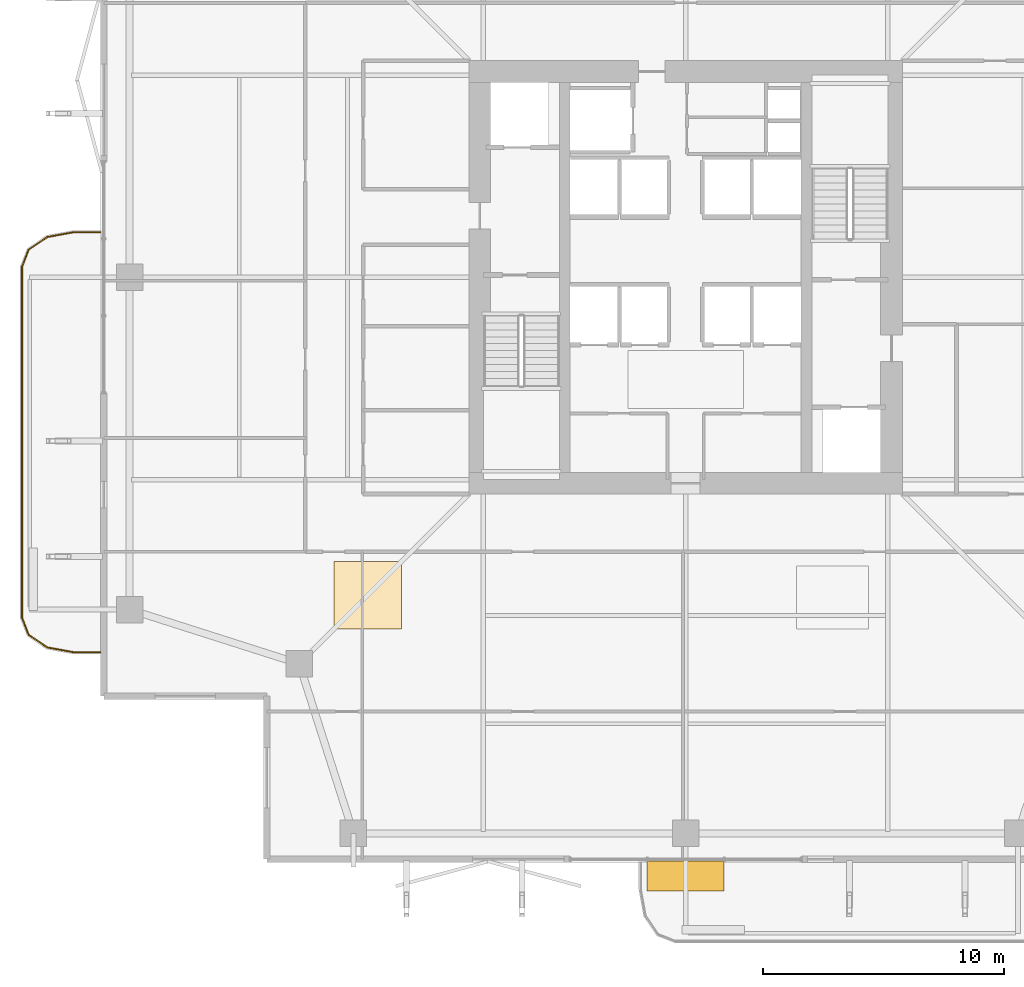
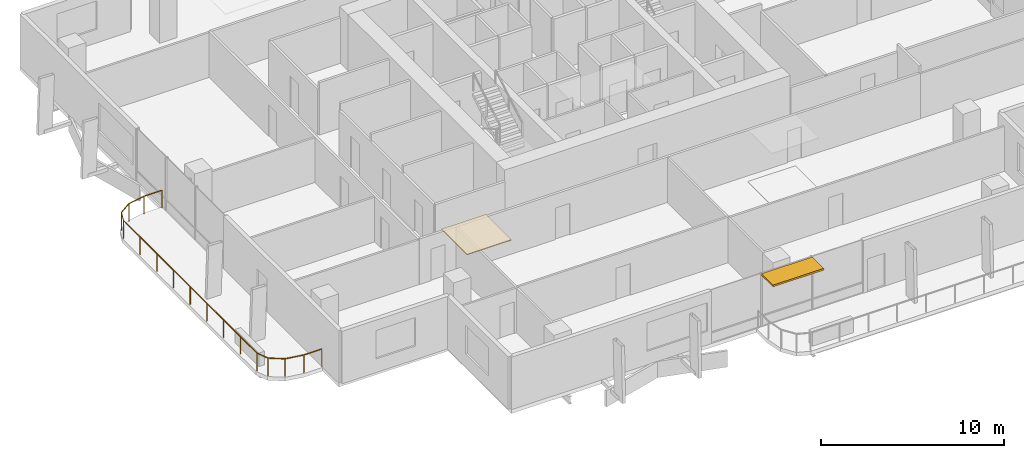
# One storey, part 22 of 25: 1 covering, 1 railing, 1 shading device.
"""IFC4 building model written with IfcOpenShell, lengths in metres."""

from ifc_helpers import new_model, si_unit, direction, frame, origin, origin_2d, place, context, subcontext, project, spatial, polyline, rectangle, outline, extrude, material, layer, layer_set, type_object, element, save


model = new_model("IFC4")

# Units and contexts
model_context = context("Model", 3, precision=1e-05, world=origin(), true_north=direction((0.0, 1.0)))
body_context = subcontext(model_context, "Body", "Model", "MODEL_VIEW")
ifc_project = project(units=[si_unit("LENGTHUNIT", "METRE"), si_unit("AREAUNIT", "SQUARE_METRE"), si_unit("VOLUMEUNIT", "CUBIC_METRE"), si_unit("PLANEANGLEUNIT", "RADIAN"), si_unit("MASSUNIT", "GRAM", prefix="KILO")], contexts=[model_context])

# Site, building, storey
site_placement = place(None, origin())
site = spatial("IfcSite", under=ifc_project, at=site_placement, CompositionType="ELEMENT")
building_placement = place(site_placement, origin())
building = spatial("IfcBuilding", under=site, at=building_placement, Name="Belovzor Exchange Tower", CompositionType="ELEMENT")
storey_placement = place(building_placement, frame((0.0, 0.0, 142.050048828125)))
storey = spatial("IfcBuildingStorey", under=building, at=storey_placement, Name="L34", CompositionType="ELEMENT", Elevation=142.050048828125)

# Railing
ifc_material_1 = material(Name="Stainless Steel and Laminated Safety Glass", Category="steel")
railing_type = type_object("IfcRailingType", Name="Laminated Glass & Stainless Steel Balcony Balustrade 1200", PredefinedType="BALUSTRADE", material=ifc_material_1)
railing_placement = place(storey_placement, frame((4.489990234375, 30.669921875, 0.0)))
element("IfcRailing", 1, at=railing_placement, inside=storey, type_object=railing_type, Name="GR-1 Balcony Balustrade L34 West", PredefinedType="BALUSTRADE", context=body_context, shape_type="SweptSolid", body=[
    extrude(rectangle(XDim=0.048095703125, YDim=0.048095703125, at=origin_2d()), frame((0.0, 0.0, 1.17578125), z_axis=(-1.0, 0.0, 0.0), x_axis=(0.0, -1.0, 0.0)), (0.0, 0.0, 1.0), 1.133056640625),
    extrude(rectangle(XDim=0.048095703125, YDim=0.048095703125, at=origin_2d()), frame((-1.133056640625, 0.0, 1.17578125), z_axis=(-0.983644145941, -0.180122719713, 0.0), x_axis=(0.180122719713, -0.983644145941, 0.0)), (0.0, 0.0, 1.0), 1.09375),
    extrude(rectangle(XDim=0.048095703125, YDim=0.048095703125, at=origin_2d()), frame((-2.208984375, -0.197021484375, 1.17578125), z_axis=(-0.826614792125, -0.562768145367, 0.0), x_axis=(0.562768145367, -0.826614792125, 0.0)), (0.0, 0.0, 1.0), 0.9326171875),
    extrude(rectangle(XDim=0.048095703125, YDim=0.048095703125, at=origin_2d()), frame((-2.97998046875, -0.721923828125, 1.17578125), z_axis=(-0.365612923861, -0.930766990125, 0.0), x_axis=(0.930766990125, -0.365612923861, 0.0)), (0.0, 0.0, 1.0), 0.765869140625),
    extrude(rectangle(XDim=0.048095703125, YDim=0.048095703125, at=origin_2d()), frame((-3.260009765625, -1.434814453125, 1.17578125), z_axis=(0.0, -1.0, 0.0), x_axis=(1.0, 0.0, 0.0)), (0.0, 0.0, 1.0), 14.570068359375),
    extrude(rectangle(XDim=0.048095703125, YDim=0.048095703125, at=origin_2d()), frame((-3.260009765625, -16.0048828125, 1.17578125), z_axis=(0.365504480807, -0.930809580156, 0.0), x_axis=(0.930809580156, 0.365504480807, 0.0)), (0.0, 0.0, 1.0), 0.76611328125),
    extrude(rectangle(XDim=0.048095703125, YDim=0.048095703125, at=origin_2d()), frame((-2.97998046875, -16.718017578125, 1.17578125), z_axis=(0.826614792125, -0.562768145367, 0.0), x_axis=(0.562768145367, 0.826614792125, 0.0)), (0.0, 0.0, 1.0), 0.9326171875),
    extrude(rectangle(XDim=0.048095703125, YDim=0.048095703125, at=origin_2d()), frame((-2.208984375, -17.242919921875, 1.17578125), z_axis=(0.983644145941, -0.180122719713, 0.0), x_axis=(0.180122719713, 0.983644145941, 0.0)), (0.0, 0.0, 1.0), 1.09375),
    extrude(rectangle(XDim=0.048095703125, YDim=0.048095703125, at=origin_2d()), frame((-1.133056640625, -17.43994140625, 1.17578125), z_axis=(1.0, 0.0, 0.0), x_axis=(0.0, 1.0, 0.0)), (0.0, 0.0, 1.0), 1.133056640625),
    extrude(rectangle(XDim=0.0419921875, YDim=0.0419921875, at=origin_2d()), origin(), (0.0, 0.0, 1.0), 1.15185546875),
    extrude(rectangle(XDim=0.0419921875, YDim=0.0419921875, at=origin_2d()), frame((-1.133056640625, 0.0, 0.0)), (0.0, 0.0, 1.0), 1.15185546875),
    extrude(rectangle(XDim=0.0419921875, YDim=0.0419921875, at=origin_2d()), frame((-2.208984375, -0.197021484375, 0.0)), (0.0, 0.0, 1.0), 1.15185546875),
    extrude(rectangle(XDim=0.0419921875, YDim=0.0419921875, at=origin_2d()), frame((-2.97998046875, -0.721923828125, 0.0)), (0.0, 0.0, 1.0), 1.15185546875),
    extrude(rectangle(XDim=0.0419921875, YDim=0.0419921875, at=origin_2d()), frame((-3.260009765625, -1.434814453125, 0.0)), (0.0, 0.0, 1.0), 1.15185546875),
    extrude(rectangle(XDim=0.0419921875, YDim=0.0419921875, at=origin_2d()), frame((-3.260009765625, -3.256103515625, 0.0)), (0.0, 0.0, 1.0), 1.15185546875),
    extrude(rectangle(XDim=0.0419921875, YDim=0.0419921875, at=origin_2d()), frame((-3.260009765625, -5.077392578125, 0.0)), (0.0, 0.0, 1.0), 1.15185546875),
    extrude(rectangle(XDim=0.0419921875, YDim=0.0419921875, at=origin_2d()), frame((-3.260009765625, -6.898681640625, 0.0)), (0.0, 0.0, 1.0), 1.15185546875),
    extrude(rectangle(XDim=0.0419921875, YDim=0.0419921875, at=origin_2d()), frame((-3.260009765625, -8.7197265625, 0.0)), (0.0, 0.0, 1.0), 1.15185546875),
    extrude(rectangle(XDim=0.0419921875, YDim=0.0419921875, at=origin_2d()), frame((-3.260009765625, -10.541015625, 0.0)), (0.0, 0.0, 1.0), 1.15185546875),
    extrude(rectangle(XDim=0.0419921875, YDim=0.0419921875, at=origin_2d()), frame((-3.260009765625, -12.3623046875, 0.0)), (0.0, 0.0, 1.0), 1.15185546875),
    extrude(rectangle(XDim=0.0419921875, YDim=0.0419921875, at=origin_2d()), frame((-3.260009765625, -14.18359375, 0.0)), (0.0, 0.0, 1.0), 1.15185546875),
    extrude(rectangle(XDim=0.0419921875, YDim=0.0419921875, at=origin_2d()), frame((-3.260009765625, -16.0048828125, 0.0)), (0.0, 0.0, 1.0), 1.15185546875),
    extrude(rectangle(XDim=0.0419921875, YDim=0.0419921875, at=origin_2d()), frame((-2.97998046875, -16.718017578125, 0.0)), (0.0, 0.0, 1.0), 1.15185546875),
    extrude(rectangle(XDim=0.0419921875, YDim=0.0419921875, at=origin_2d()), frame((-2.208984375, -17.242919921875, 0.0)), (0.0, 0.0, 1.0), 1.15185546875),
    extrude(rectangle(XDim=0.0419921875, YDim=0.0419921875, at=origin_2d()), frame((-1.133056640625, -17.43994140625, 0.0)), (0.0, 0.0, 1.0), 1.15185546875),
    extrude(rectangle(XDim=0.0419921875, YDim=0.0419921875, at=origin_2d()), frame((0.0, -17.43994140625, 0.0)), (0.0, 0.0, 1.0), 1.15185546875),
])

# Covering
ifc_material_2 = material(Name="Perforated Powder-Coated Aluminium", Category="aluminium")
ifc_layer_1 = layer(ifc_material_2, 0.06005859375)
ifc_layer_set_1 = layer_set([ifc_layer_1], Name="Perforated Powder-Coated Aluminium")
covering_type = type_object("IfcCoveringType", Name="Perforated Acoustic Metal Tile Suspended Ceiling 60", PredefinedType="CEILING", material=ifc_layer_set_1)
covering_placement = place(storey_placement, frame((0.0, 0.0, 3.43505859375)))
element("IfcCovering", 2, at=covering_placement, inside=storey, type_object=covering_type, Name="CLG-AC60 Suspended Ceiling CLG-L34-Z0", PredefinedType="CEILING", context=body_context, shape_type="SweptSolid", body=[
    extrude(outline(polyline([(14.199951171875, 14.199951171875), (17.0, 14.199951171875), (17.0, 17.0), (14.199951171875, 17.0), (14.199951171875, 14.199951171875)])), origin(), (0.0, 0.0, 1.0), 0.059814453125),
])

# Shading device
ifc_material_3 = material(Name="Extruded Architectural Terracotta", Category="masonry")
ifc_layer_2 = layer(ifc_material_3, 0.1201171875)
ifc_layer_set_2 = layer_set([ifc_layer_2], Name="Extruded Architectural Terracotta")
shading_device_type = type_object("IfcShadingDeviceType", Name="Streamline Terracotta Horizontal Sunshade Hood 1250", PredefinedType="AWNING", material=ifc_layer_set_2)
shading_device_placement = place(storey_placement, frame((28.800048828125, 3.93505859375, 3.375), z_axis=(0.0, 0.0, 1.0), x_axis=(1.0, 0.0, 0.0)))
element("IfcShadingDevice", 3, at=shading_device_placement, inside=storey, type_object=shading_device_type, Name="SHD-TC125 Terracotta Sunshade L34 S", PredefinedType="AWNING", context=body_context, shape_type="SweptSolid", body=[
    extrude(rectangle(XDim=3.199951171875, YDim=1.25, at=origin_2d()), origin(), (0.0, 0.0, 1.0), 0.1201171875),
])

save(model, "model.ifc")
